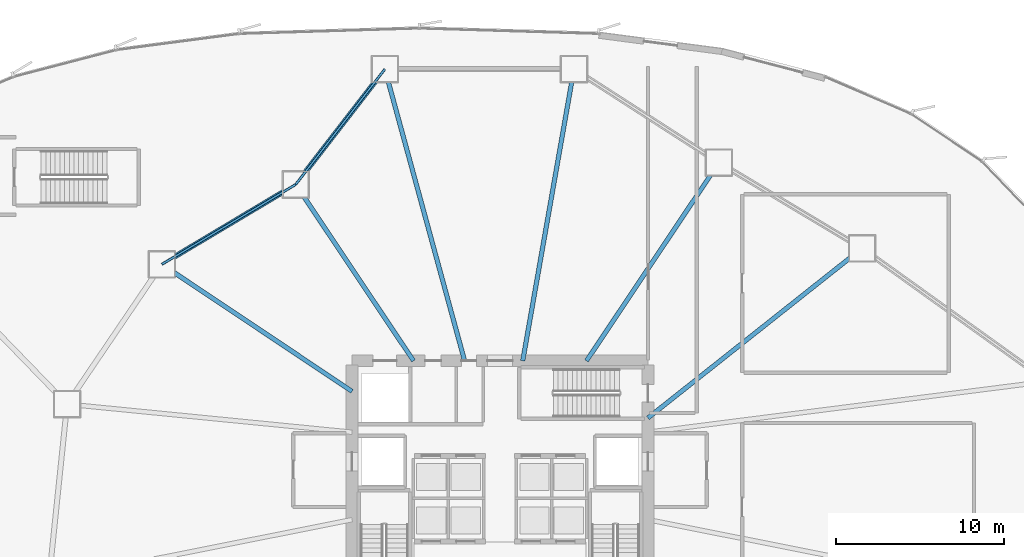
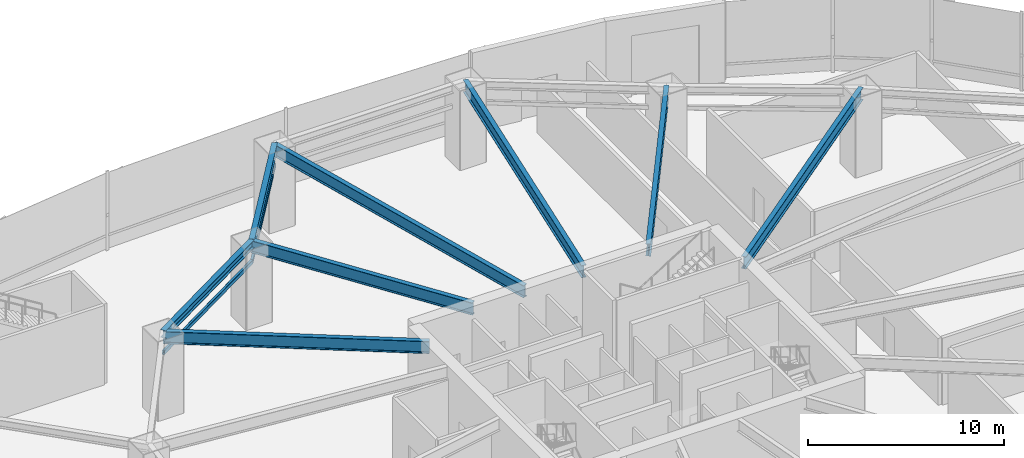
# One storey, part 10 of 35: 10 beams.
"""IFC4 building model written with IfcOpenShell, lengths in metres."""

from ifc_helpers import new_model, si_unit, direction, frame, origin, origin_2d, place, context, subcontext, project, spatial, hollow_rectangle, i_section, extrude, source, transform, mapped, material, material_profile, profile_set, type_object, element, save


model = new_model("IFC4")

# Units and contexts
model_context = context("Model", 3, precision=1e-05, world=origin(), true_north=direction((0.0, 1.0)))
body_context = subcontext(model_context, "Body", "Model", "MODEL_VIEW")
ifc_project = project(units=[si_unit("LENGTHUNIT", "METRE"), si_unit("AREAUNIT", "SQUARE_METRE"), si_unit("VOLUMEUNIT", "CUBIC_METRE"), si_unit("PLANEANGLEUNIT", "RADIAN"), si_unit("MASSUNIT", "GRAM", prefix="KILO"), si_unit("THERMODYNAMICTEMPERATUREUNIT", "KELVIN")], contexts=[model_context])

# Site, building, storey
site_placement = place(None, origin())
site = spatial("IfcSite", under=ifc_project, at=site_placement, CompositionType="ELEMENT")
building_placement = place(site_placement, origin())
building = spatial("IfcBuilding", under=site, at=building_placement, Name="Kethvar Cultural Tower", CompositionType="ELEMENT")
storey_placement = place(building_placement, origin())
storey = spatial("IfcBuildingStorey", under=building, at=storey_placement, Name="L00", CompositionType="ELEMENT", Elevation=0.0)

# Beams
ifc_material = material(Name="Steel S355J2", Category="steel")
ifc_material_profile_1 = material_profile(ifc_material, i_section(OverallWidth=0.300048828125, OverallDepth=0.5, WebThickness=0.014404296875, FlangeThickness=0.028076171875, FilletRadius=0.027099609375, at=origin_2d()), Name="Steel S355J2 — HEB500")
ifc_profile_set_1 = profile_set([ifc_material_profile_1], Name="Steel S355J2 — HEB500")
beam_type_1 = type_object("IfcBeamType", Name="BM-SP500", PredefinedType="SPANDREL", material=ifc_profile_set_1)
shared_shape_1 = source(origin(), body_context, "Body", "SweptSolid", [
    extrude(i_section(OverallWidth=0.300048828125, OverallDepth=0.5, WebThickness=0.014404296875, FlangeThickness=0.028076171875, FilletRadius=0.027099609375, at=origin_2d()), origin(), (0.0, 0.0, 1.0), 8.671630859375),
])
beam_1_placement = place(storey_placement, frame((39.949951171875, 52.85009765625, 4.697998046875), z_axis=(-0.611647801721, -0.791130183124, 0.0), x_axis=(0.791130183124, -0.611647801721, 0.0)))
element("IfcBeam", 1, at=beam_1_placement, inside=storey, type_object=beam_type_1, Name="L00 Podium Ring Beam 05", PredefinedType="SPANDREL", context=body_context, shape_type="MappedRepresentation", body=[
    mapped(shared_shape_1, transform((0.0, 0.0, 0.0), scale=1.0)),
])
shared_shape_2 = source(origin(), body_context, "Body", "SweptSolid", [
    extrude(i_section(OverallWidth=0.300048828125, OverallDepth=0.5, WebThickness=0.014404296875, FlangeThickness=0.028076171875, FilletRadius=0.027099609375, at=origin_2d()), origin(), (0.0, 0.0, 1.0), 9.270263671875),
])
beam_2_placement = place(storey_placement, frame((34.64599609375, 45.98974609375, 4.697998046875), z_axis=(-0.858814626354, -0.51228647997, 0.0), x_axis=(0.51228647997, -0.858814626354, 0.0)))
element("IfcBeam", 2, at=beam_2_placement, inside=storey, type_object=beam_type_1, Name="L00 Podium Ring Beam 06", PredefinedType="SPANDREL", context=body_context, shape_type="MappedRepresentation", body=[
    mapped(shared_shape_2, transform((0.0, 0.0, 0.0), scale=1.0)),
])
ifc_material_profile_2 = material_profile(ifc_material, i_section(OverallWidth=0.26708984375, OverallDepth=0.761962890625, WebThickness=0.014404296875, FlangeThickness=0.021484375, FilletRadius=0.01708984375, at=origin_2d()), Name="Steel S355J2 — IPE750x173")
ifc_profile_set_2 = profile_set([ifc_material_profile_2], Name="Steel S355J2 — IPE750x173")
beam_type_2 = type_object("IfcBeamType", Name="BM-IPE750", PredefinedType="BEAM", material=ifc_profile_set_2)
shared_shape_3 = source(origin(), body_context, "Body", "SweptSolid", [
    extrude(i_section(OverallWidth=0.26708984375, OverallDepth=0.761962890625, WebThickness=0.014404296875, FlangeThickness=0.021484375, FilletRadius=0.01708984375, at=origin_2d()), origin(), (0.0, 0.0, 1.0), 16.248779296875),
])
beam_3_placement = place(storey_placement, frame((55.60009765625, 32.10009765625, 4.56689453125), z_axis=(0.783831288624, 0.620973840813, 0.0), x_axis=(-0.620973840813, 0.783831288624, 0.0)))
element("IfcBeam", 3, at=beam_3_placement, inside=storey, type_object=beam_type_2, Name="L00 Podium Radial Girder 02", PredefinedType="BEAM", context=body_context, shape_type="MappedRepresentation", body=[
    mapped(shared_shape_3, transform((0.0, 0.0, 0.0), scale=1.0)),
])
shared_shape_4 = source(origin(), body_context, "Body", "SweptSolid", [
    extrude(i_section(OverallWidth=0.26708984375, OverallDepth=0.761962890625, WebThickness=0.014404296875, FlangeThickness=0.021484375, FilletRadius=0.01708984375, at=origin_2d()), origin(), (0.0, 0.0, 1.0), 14.18359375),
])
beam_4_placement = place(storey_placement, frame((51.945068359375, 35.5, 4.56689453125), z_axis=(0.55556584065, 0.831472547174, 0.0), x_axis=(-0.831472547174, 0.55556584065, 0.0)))
element("IfcBeam", 4, at=beam_4_placement, inside=storey, type_object=beam_type_2, Name="L00 Podium Radial Girder 03", PredefinedType="BEAM", context=body_context, shape_type="MappedRepresentation", body=[
    mapped(shared_shape_4, transform((0.0, 0.0, 0.0), scale=1.0)),
])
shared_shape_5 = source(origin(), body_context, "Body", "SweptSolid", [
    extrude(i_section(OverallWidth=0.26708984375, OverallDepth=0.761962890625, WebThickness=0.014404296875, FlangeThickness=0.021484375, FilletRadius=0.01708984375, at=origin_2d()), origin(), (0.0, 0.0, 1.0), 17.61572265625),
])
beam_5_placement = place(storey_placement, frame((48.152587890625, 35.5, 4.56689453125), z_axis=(0.172991485085, 0.984923319903, 0.0), x_axis=(-0.984923319903, 0.172991485085, 0.0)))
element("IfcBeam", 5, at=beam_5_placement, inside=storey, type_object=beam_type_2, Name="L00 Podium Radial Girder 04", PredefinedType="BEAM", context=body_context, shape_type="MappedRepresentation", body=[
    mapped(shared_shape_5, transform((0.0, 0.0, 0.0), scale=1.0)),
])
shared_shape_6 = source(origin(), body_context, "Body", "SweptSolid", [
    extrude(i_section(OverallWidth=0.26708984375, OverallDepth=0.761962890625, WebThickness=0.014404296875, FlangeThickness=0.021484375, FilletRadius=0.01708984375, at=origin_2d()), origin(), (0.0, 0.0, 1.0), 17.987060546875),
])
beam_6_placement = place(storey_placement, frame((44.6943359375, 35.5, 4.56689453125), z_axis=(-0.26376624534, 0.964586630541, 0.0), x_axis=(-0.964586630541, -0.26376624534, 0.0)))
element("IfcBeam", 6, at=beam_6_placement, inside=storey, type_object=beam_type_2, Name="L00 Podium Radial Girder 05", PredefinedType="BEAM", context=body_context, shape_type="MappedRepresentation", body=[
    mapped(shared_shape_6, transform((0.0, 0.0, 0.0), scale=1.0)),
])
shared_shape_7 = source(origin(), body_context, "Body", "SweptSolid", [
    extrude(i_section(OverallWidth=0.26708984375, OverallDepth=0.761962890625, WebThickness=0.014404296875, FlangeThickness=0.021484375, FilletRadius=0.01708984375, at=origin_2d()), origin(), (0.0, 0.0, 1.0), 12.615966796875),
])
beam_7_placement = place(storey_placement, frame((41.655029296875, 35.5, 4.56689453125), z_axis=(-0.555570723257, 0.831469284736, 0.0), x_axis=(-0.831469284736, -0.555570723257, 0.0)))
element("IfcBeam", 7, at=beam_7_placement, inside=storey, type_object=beam_type_2, Name="L00 Podium Radial Girder 06", PredefinedType="BEAM", context=body_context, shape_type="MappedRepresentation", body=[
    mapped(shared_shape_7, transform((0.0, 0.0, 0.0), scale=1.0)),
])
shared_shape_8 = source(origin(), body_context, "Body", "SweptSolid", [
    extrude(i_section(OverallWidth=0.26708984375, OverallDepth=0.761962890625, WebThickness=0.014404296875, FlangeThickness=0.021484375, FilletRadius=0.01708984375, at=origin_2d()), origin(), (0.0, 0.0, 1.0), 13.60888671875),
])
beam_8_placement = place(storey_placement, frame((38.0, 33.679931640625, 4.56689453125), z_axis=(-0.831467486755, 0.555573414113, 0.0), x_axis=(-0.555573414113, -0.831467486755, 0.0)))
element("IfcBeam", 8, at=beam_8_placement, inside=storey, type_object=beam_type_2, Name="L00 Podium Radial Girder 07", PredefinedType="BEAM", context=body_context, shape_type="MappedRepresentation", body=[
    mapped(shared_shape_8, transform((0.0, 0.0, 0.0), scale=1.0)),
])
ifc_material_profile_3 = material_profile(ifc_material, hollow_rectangle(XDim=0.14990234375, YDim=0.25, WallThickness=0.010009765625, InnerFilletRadius=0.010009765625, OuterFilletRadius=0.02001953125, at=origin_2d()), Name="Steel S355J2 — RHS250x150x10")
ifc_profile_set_3 = profile_set([ifc_material_profile_3], Name="Steel S355J2 — RHS250x150x10")
beam_type_3 = type_object("IfcBeamType", Name="BM-LN250", PredefinedType="LINTEL", material=ifc_profile_set_3)
shared_shape_9 = source(origin(), body_context, "Body", "SweptSolid", [
    extrude(hollow_rectangle(XDim=0.14990234375, YDim=0.25, WallThickness=0.010009765625, InnerFilletRadius=0.010009765625, OuterFilletRadius=0.02001953125, at=origin_2d()), origin(), (0.0, 0.0, 1.0), 8.671630859375),
])
beam_9_placement = place(storey_placement, frame((39.949951171875, 52.85009765625, 3.550048828125), z_axis=(-0.611647801721, -0.791130183124, 0.0), x_axis=(0.791130183124, -0.611647801721, 0.0)))
element("IfcBeam", 9, at=beam_9_placement, inside=storey, type_object=beam_type_3, Name="L00 Header Lintel LN-05", PredefinedType="LINTEL", context=body_context, shape_type="MappedRepresentation", body=[
    mapped(shared_shape_9, transform((0.0, 0.0, 0.0), scale=1.0)),
])
shared_shape_10 = source(origin(), body_context, "Body", "SweptSolid", [
    extrude(hollow_rectangle(XDim=0.14990234375, YDim=0.25, WallThickness=0.010009765625, InnerFilletRadius=0.010009765625, OuterFilletRadius=0.02001953125, at=origin_2d()), origin(), (0.0, 0.0, 1.0), 9.270263671875),
])
beam_10_placement = place(storey_placement, frame((34.64599609375, 45.98974609375, 3.550048828125), z_axis=(-0.858814626354, -0.51228647997, 0.0), x_axis=(0.51228647997, -0.858814626354, 0.0)))
element("IfcBeam", 10, at=beam_10_placement, inside=storey, type_object=beam_type_3, Name="L00 Header Lintel LN-06", PredefinedType="LINTEL", context=body_context, shape_type="MappedRepresentation", body=[
    mapped(shared_shape_10, transform((0.0, 0.0, 0.0), scale=1.0)),
])

save(model, "model.ifc")
